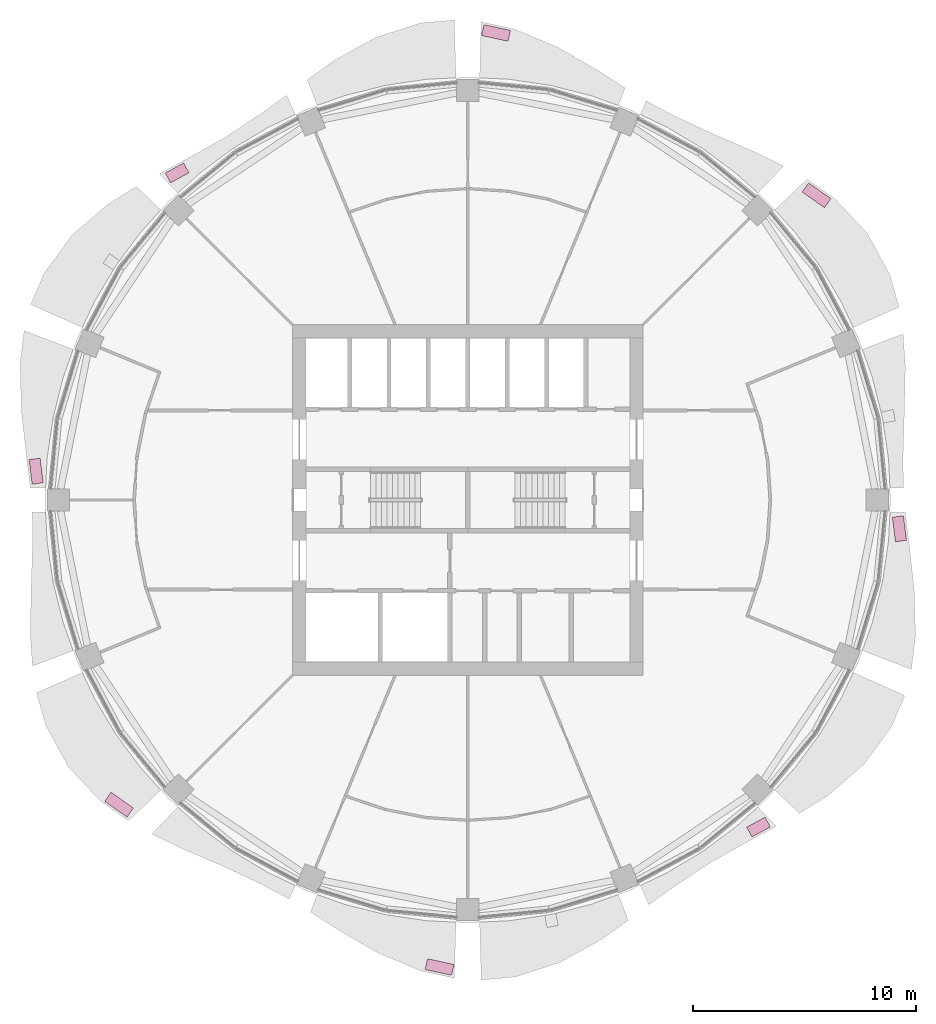
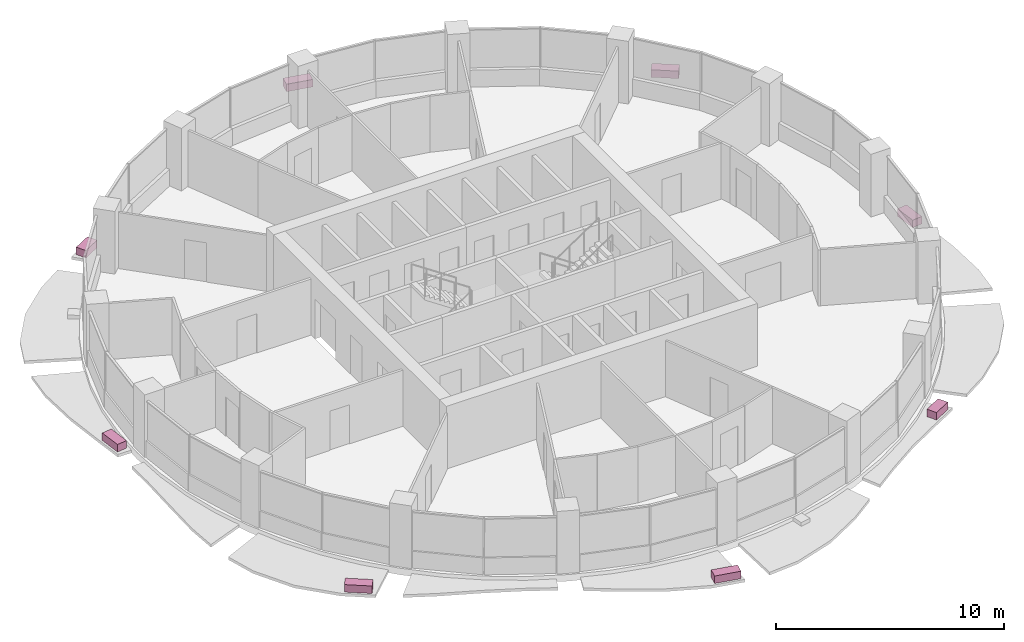
# One storey, part 15 of 15: 8 furniture elements.
"""IFC4 building model written with IfcOpenShell, lengths in metres."""

from ifc_helpers import new_model, si_unit, direction, frame, origin, origin_2d, place, context, subcontext, project, spatial, rectangle, extrude, material, type_object, element, save


model = new_model("IFC4")

# Units and contexts
model_context = context("Model", 3, precision=1e-05, world=origin(), true_north=direction((0.0, 1.0)))
body_context = subcontext(model_context, "Body", "Model", "MODEL_VIEW")
ifc_project = project(units=[si_unit("LENGTHUNIT", "METRE"), si_unit("AREAUNIT", "SQUARE_METRE"), si_unit("VOLUMEUNIT", "CUBIC_METRE"), si_unit("PLANEANGLEUNIT", "RADIAN"), si_unit("MASSUNIT", "GRAM", prefix="KILO")], contexts=[model_context])

# Site, building, storey
site_placement = place(None, origin())
site = spatial("IfcSite", under=ifc_project, at=site_placement, CompositionType="ELEMENT")
building_placement = place(site_placement, origin())
building = spatial("IfcBuilding", under=site, at=building_placement, Name="Polderwave Tower", CompositionType="ELEMENT")
storey_placement = place(building_placement, frame((0.0, 0.0, 131.0)))
storey = spatial("IfcBuildingStorey", under=building, at=storey_placement, Name="L34", CompositionType="ELEMENT", Elevation=131.0)

# Furniture
ifc_material = material(Name="Terracotta", Category="masonry")
furniture_type = type_object("IfcFurnitureType", Name="Terracotta planting trough", AssemblyPlace="NOTDEFINED", PredefinedType="USERDEFINED", material=ifc_material)
furniture_1_placement = place(storey_placement, frame((15.656005859375, 13.678466796875, -0.199951171875), z_axis=(0.0, 0.0, 1.0), x_axis=(-0.818481763705, 0.574532507768, 0.0)))
element("IfcFurniture", 1, at=furniture_1_placement, inside=storey, type_object=furniture_type, Name="Planting trough L34 2", ObjectType="PLANTER", PredefinedType="USERDEFINED", context=body_context, shape_type="SweptSolid", body=[
    extrude(rectangle(XDim=1.226806640625, YDim=0.5, at=origin_2d()), origin(), (0.0, 0.0, 1.0), 0.39990234375),
])
furniture_2_placement = place(storey_placement, frame((1.267822265625, 20.96630859375, -0.199951171875), z_axis=(0.0, 0.0, 1.0), x_axis=(-0.977504328059, 0.210915358915, 0.0)))
element("IfcFurniture", 2, at=furniture_2_placement, inside=storey, type_object=furniture_type, Name="Planting trough L34 4", ObjectType="PLANTER", PredefinedType="USERDEFINED", context=body_context, shape_type="SweptSolid", body=[
    extrude(rectangle(XDim=1.216796875, YDim=0.5, at=origin_2d()), origin(), (0.0, 0.0, 1.0), 0.39990234375),
])
furniture_3_placement = place(storey_placement, frame((-13.05078125, 14.683837890625, -0.199951171875), z_axis=(0.0, 0.0, 1.0), x_axis=(-0.878550479886, -0.477649509883, 0.0)))
element("IfcFurniture", 3, at=furniture_3_placement, inside=storey, type_object=furniture_type, Name="Planting trough L34 6", ObjectType="PLANTER", PredefinedType="USERDEFINED", context=body_context, shape_type="SweptSolid", body=[
    extrude(rectangle(XDim=0.940185546875, YDim=0.5, at=origin_2d()), origin(), (0.0, 0.0, 1.0), 0.39990234375),
])
furniture_4_placement = place(storey_placement, frame((-19.37841796875, 1.293701171875, -0.199951171875), z_axis=(0.0, 0.0, 1.0), x_axis=(0.123859532506, -0.992299761265, 0.0)))
element("IfcFurniture", 4, at=furniture_4_placement, inside=storey, type_object=furniture_type, Name="Planting trough L34 8", ObjectType="PLANTER", PredefinedType="USERDEFINED", context=body_context, shape_type="SweptSolid", body=[
    extrude(rectangle(XDim=1.113037109375, YDim=0.5, at=origin_2d()), origin(), (0.0, 0.0, 1.0), 0.39990234375),
])
furniture_5_placement = place(storey_placement, frame((-15.656005859375, -13.678466796875, -0.199951171875), z_axis=(0.0, 0.0, 1.0), x_axis=(0.818481763705, -0.574532507768, 0.0)))
element("IfcFurniture", 5, at=furniture_5_placement, inside=storey, type_object=furniture_type, Name="Planting trough L34 10", ObjectType="PLANTER", PredefinedType="USERDEFINED", context=body_context, shape_type="SweptSolid", body=[
    extrude(rectangle(XDim=1.226806640625, YDim=0.5, at=origin_2d()), origin(), (0.0, 0.0, 1.0), 0.39990234375),
])
furniture_6_placement = place(storey_placement, frame((-1.267822265625, -20.96630859375, -0.199951171875), z_axis=(0.0, 0.0, 1.0), x_axis=(0.977504328059, -0.210915358915, 0.0)))
element("IfcFurniture", 6, at=furniture_6_placement, inside=storey, type_object=furniture_type, Name="Planting trough L34 12", ObjectType="PLANTER", PredefinedType="USERDEFINED", context=body_context, shape_type="SweptSolid", body=[
    extrude(rectangle(XDim=1.216796875, YDim=0.5, at=origin_2d()), origin(), (0.0, 0.0, 1.0), 0.39990234375),
])
furniture_7_placement = place(storey_placement, frame((13.05078125, -14.683837890625, -0.199951171875), z_axis=(0.0, 0.0, 1.0), x_axis=(0.878550479886, 0.477649509883, 0.0)))
element("IfcFurniture", 7, at=furniture_7_placement, inside=storey, type_object=furniture_type, Name="Planting trough L34 14", ObjectType="PLANTER", PredefinedType="USERDEFINED", context=body_context, shape_type="SweptSolid", body=[
    extrude(rectangle(XDim=0.940185546875, YDim=0.5, at=origin_2d()), origin(), (0.0, 0.0, 1.0), 0.39990234375),
])
furniture_8_placement = place(storey_placement, frame((19.37841796875, -1.293701171875, -0.199951171875), z_axis=(0.0, 0.0, 1.0), x_axis=(-0.123859532506, 0.992299761265, 0.0)))
element("IfcFurniture", 8, at=furniture_8_placement, inside=storey, type_object=furniture_type, Name="Planting trough L34 16", ObjectType="PLANTER", PredefinedType="USERDEFINED", context=body_context, shape_type="SweptSolid", body=[
    extrude(rectangle(XDim=1.113037109375, YDim=0.5, at=origin_2d()), origin(), (0.0, 0.0, 1.0), 0.39990234375),
])

save(model, "model.ifc")
